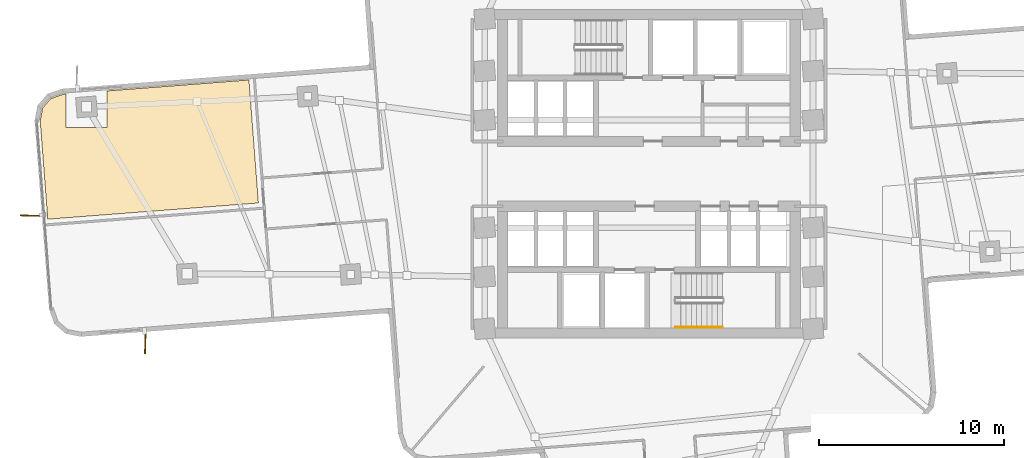
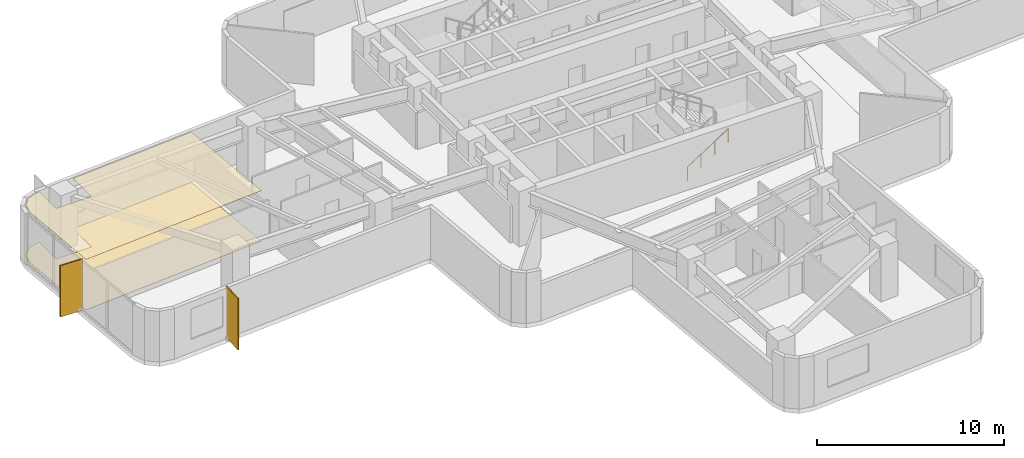
# One storey, part 12 of 15: 2 coverings, 2 shading devices, 1 railing.
"""IFC4 building model written with IfcOpenShell, lengths in metres."""

from ifc_helpers import new_model, si_unit, direction, frame, origin, origin_2d, place, context, subcontext, project, spatial, polyline, rectangle, circle, outline, extrude, material, layer, layer_set, type_object, element, save


model = new_model("IFC4")

# Units and contexts
model_context = context("Model", 3, precision=1e-05, world=origin(), true_north=direction((0.0, 1.0)))
body_context = subcontext(model_context, "Body", "Model", "MODEL_VIEW")
ifc_project = project(units=[si_unit("LENGTHUNIT", "METRE"), si_unit("AREAUNIT", "SQUARE_METRE"), si_unit("VOLUMEUNIT", "CUBIC_METRE"), si_unit("PLANEANGLEUNIT", "RADIAN"), si_unit("MASSUNIT", "GRAM", prefix="KILO")], contexts=[model_context])

# Site, building, storey
site_placement = place(None, origin())
site = spatial("IfcSite", under=ifc_project, at=site_placement, CompositionType="ELEMENT")
building_placement = place(site_placement, origin())
building = spatial("IfcBuilding", under=site, at=building_placement, Name="Solmarez Civic Tower", CompositionType="ELEMENT")
storey_placement = place(building_placement, frame((0.0, 0.0, 60.47998046875)))
storey = spatial("IfcBuildingStorey", under=building, at=storey_placement, Name="L15", CompositionType="ELEMENT", Elevation=60.47998046875)

# Coverings
ifc_material_1 = material(Name="Perforated Mineral-Fibre Acoustic Ceiling")
ifc_layer_1 = layer(ifc_material_1, 0.02490234375)
ifc_layer_set_1 = layer_set([ifc_layer_1], Name="Perforated Mineral-Fibre Acoustic Ceiling")
covering_type_1 = type_object("IfcCoveringType", Name="COV-CEIL-ACOUSTIC", PredefinedType="CEILING", material=ifc_layer_set_1)
covering_1_placement = place(storey_placement, frame((0.0, 0.0, 3.294921875)))
element("IfcCovering", 1, at=covering_1_placement, inside=storey, type_object=covering_type_1, Name="L15 Suspended Acoustic Ceiling 2", PredefinedType="CEILING", context=body_context, shape_type="SweptSolid", body=[
    extrude(outline(polyline([(-21.56103515625, 5.06103515625), (-29.218017578125, 4.471923828125), (-29.218017578125, 2.509033203125), (-31.41796875, 2.509033203125), (-31.41796875, 4.302978515625), (-31.58203125, 4.2900390625), (-32.25, 4.053955078125), (-32.68603515625, 3.548095703125), (-32.81494140625, 2.85107421875), (-32.408935546875, -2.444091796875), (-21.051025390625, -1.570068359375), (-21.56103515625, 5.06103515625)])), origin(), (0.0, 0.0, 1.0), 0.025146484375),
])
ifc_material_2 = material(Name="Polished Tropical Stone Terrazzo Flooring", Category="masonry")
ifc_layer_2 = layer(ifc_material_2, 0.02001953125)
ifc_layer_set_2 = layer_set([ifc_layer_2], Name="Polished Tropical Stone Terrazzo Flooring")
covering_type_2 = type_object("IfcCoveringType", Name="COV-FLOOR-TERRAZZO", PredefinedType="FLOORING", material=ifc_layer_set_2)
covering_2_placement = place(storey_placement, origin())
element("IfcCovering", 2, at=covering_2_placement, inside=storey, type_object=covering_type_2, Name="L15 Terrazzo Floor Finish 2", PredefinedType="FLOORING", context=body_context, shape_type="SweptSolid", body=[
    extrude(outline(polyline([(-21.56103515625, 5.06103515625), (-29.218017578125, 4.471923828125), (-29.218017578125, 2.509033203125), (-31.41796875, 2.509033203125), (-31.41796875, 4.302978515625), (-31.58203125, 4.2900390625), (-32.25, 4.053955078125), (-32.68603515625, 3.548095703125), (-32.81494140625, 2.85107421875), (-32.408935546875, -2.444091796875), (-21.051025390625, -1.570068359375), (-21.56103515625, 5.06103515625)])), origin(), (0.0, 0.0, 1.0), 0.02001953125),
])

# Shading devices
ifc_material_3 = material(Name="Bronze Anodised Aluminium EN AW-6063 T6", Category="aluminium")
ifc_layer_3 = layer(ifc_material_3, 0.06494140625)
ifc_layer_set_3 = layer_set([ifc_layer_3], Name="Bronze Anodised Aluminium EN AW-6063 T6")
shading_device_type = type_object("IfcShadingDeviceType", Name="FIN-BRONZE-Z12", PredefinedType="USERDEFINED", material=ifc_layer_set_3)
for number, where, z_axis, x_axis, name in (
    (3, (-27.14794921875, -9.014892578125, -0.0400390625), (0.0, 0.0, 1.0), (-0.028776506308, -0.999585870591, 0.0), "L15 Anodised Bronze Solar Fin FIN-L15-01"),
    (4, (-33.22998046875, -2.256103515625, -0.0400390625), (0.0, 0.0, 1.0), (-0.999586372683, 0.028759060239, 0.0), "L15 Anodised Bronze Solar Fin FIN-L15-02"),
):
    element("IfcShadingDevice", number, at=place(storey_placement, frame(where, z_axis=z_axis, x_axis=x_axis)), inside=storey, type_object=shading_device_type, Name=name, ObjectType="FIN", PredefinedType="USERDEFINED", context=body_context, shape_type="SweptSolid", body=[
        extrude(rectangle(XDim=1.35009765625, YDim=0.06494140625, at=origin_2d()), origin(), (0.0, 0.0, 1.0), 3.360107421875),
    ])

# Railing
ifc_material_4 = material(Name="Brushed Stainless Steel Tube Handrail", Category="steel")
railing_type = type_object("IfcRailingType", Name="HANDRAIL-STAIR-900", PredefinedType="HANDRAIL", material=ifc_material_4)
railing_placement = place(storey_placement, frame((1.449951171875, -8.27001953125, 0.179931640625)))
element("IfcRailing", 5, at=railing_placement, inside=storey, type_object=railing_type, Name="L15 ST-2 stair handrail 1", PredefinedType="HANDRAIL", context=body_context, shape_type="SweptSolid", body=[
    extrude(circle(Radius=0.02392578125, at=origin_2d()), frame((0.0, 0.0, 0.8759765625), z_axis=(0.841162588446, 0.0, 0.540782303519), x_axis=(0.0, 1.0, 0.0)), (0.0, 0.0, 1.0), 2.995849609375),
    extrude(circle(Radius=0.02099609375, at=origin_2d()), origin(), (0.0, 0.0, 1.0), 0.851806640625),
    extrude(circle(Radius=0.02099609375, at=origin_2d()), frame((0.840087890625, 0.0, 0.5400390625)), (0.0, 0.0, 1.0), 0.851806640625),
    extrude(circle(Radius=0.02099609375, at=origin_2d()), frame((1.679931640625, 0.0, 1.080078125)), (0.0, 0.0, 1.0), 0.851806640625),
    extrude(circle(Radius=0.02099609375, at=origin_2d()), frame((2.52001953125, 0.0, 1.6201171875)), (0.0, 0.0, 1.0), 0.851806640625),
])

save(model, "model.ifc")
